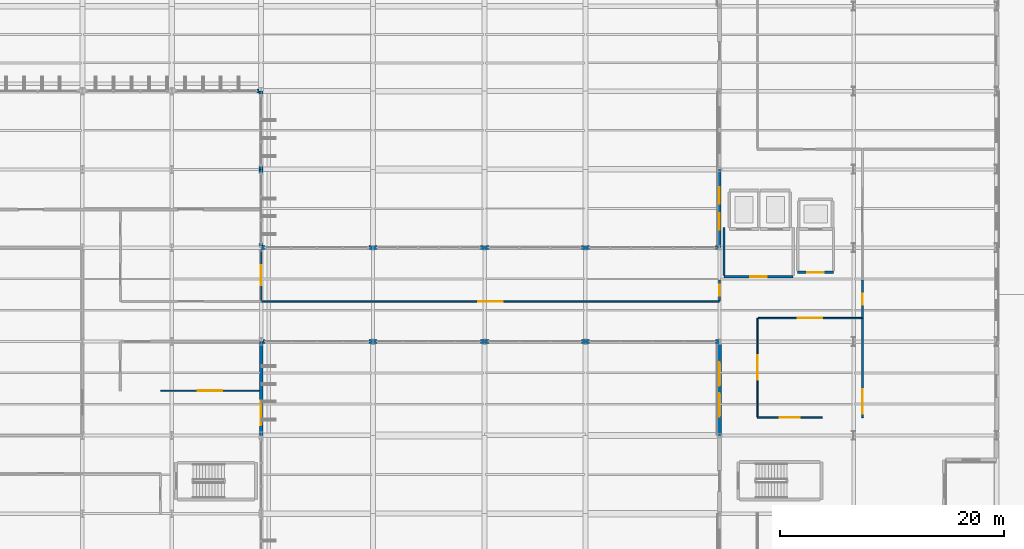
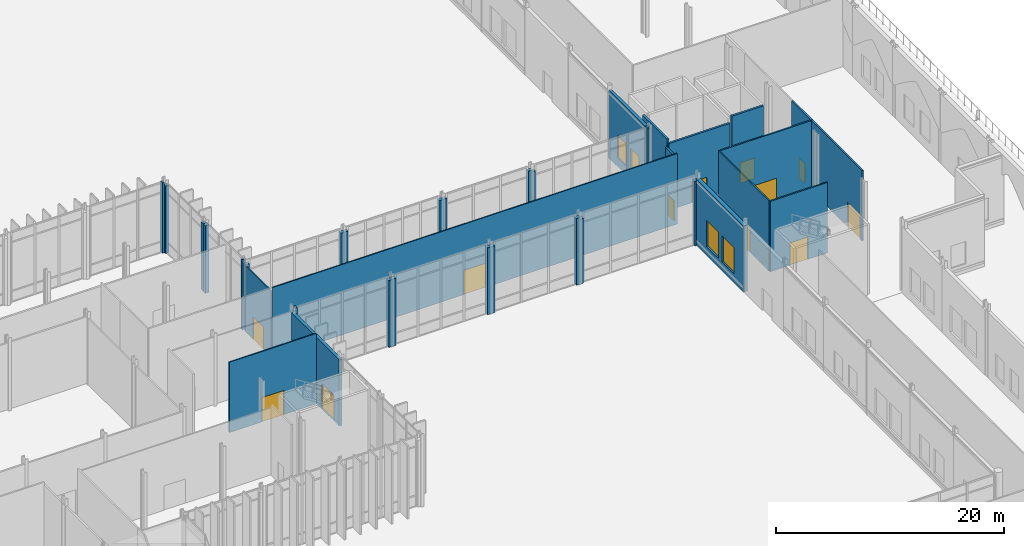
# One storey, part 145 of 176: 36 walls, 12 doors, 4 windows, 16 openings.
"""IFC4 building model written with IfcOpenShell, lengths in metres."""

from ifc_helpers import new_model, si_unit, direction, frame, frame_2d, origin, place, context, subcontext, project, spatial, rectangle, extrude, material, layer, layer_set, type_object, element, fill, save


model = new_model("IFC4")

# Units and contexts
model_context = context("Model", 3, precision=1e-05, world=origin(), true_north=direction((0.0, 1.0)))
body_context = subcontext(model_context, "Body", "Model", "MODEL_VIEW")
ifc_project = project(units=[si_unit("LENGTHUNIT", "METRE"), si_unit("AREAUNIT", "SQUARE_METRE"), si_unit("VOLUMEUNIT", "CUBIC_METRE"), si_unit("PLANEANGLEUNIT", "RADIAN"), si_unit("MASSUNIT", "GRAM", prefix="KILO")], contexts=[model_context])

# Site, building, storey
site_placement = place(None, origin())
site = spatial("IfcSite", under=ifc_project, at=site_placement, CompositionType="ELEMENT")
building_placement = place(site_placement, origin())
building = spatial("IfcBuilding", under=site, at=building_placement, Name="Vekula Escarpment Museum", CompositionType="ELEMENT")
storey_placement = place(building_placement, origin())
storey = spatial("IfcBuildingStorey", under=building, at=storey_placement, Name="L01", CompositionType="ELEMENT", Elevation=0.0)

# Wall, opening, door
ifc_material_1 = material(Name="Inkisi arkosic sandstone masonry", Category="masonry")
ifc_layer_1 = layer(ifc_material_1, 0.300048828125)
ifc_layer_set_1 = layer_set([ifc_layer_1], Name="Inkisi arkosic sandstone masonry")
wall_type_1 = type_object("IfcWallType", Name="WL-ALM-300", PredefinedType="SOLIDWALL", material=ifc_layer_set_1)
wall_1_placement = place(storey_placement, frame((126.0, 68.0, 0.0), z_axis=(0.0, 0.0, 1.0), x_axis=(0.0, -1.0, 0.0)))
wall_1 = element("IfcWall", 1, at=wall_1_placement, inside=storey, type_object=wall_type_1, Name="Exterior Wall WL-EXT-L01-0083", PredefinedType="SOLIDWALL", context=body_context, shape_type="SweptSolid", body=[
    extrude(rectangle(XDim=8.39990234375, YDim=0.300048828125, at=frame_2d((4.199951171875, 0.0))), origin(), (0.0, 0.0, 1.0), 7.0849609375),
])
opening_1_placement = place(wall_1_placement, frame((5.300048828125, 0.0, 0.0)))
opening_1 = element("IfcOpeningElement", 2, at=opening_1_placement, cuts=wall_1, Name="Opening D-EX24", PredefinedType="OPENING", context=body_context, shape_type="SweptSolid", body=[
    extrude(rectangle(XDim=2.199951171875, YDim=2.699951171875, at=frame_2d((1.10009765625, 1.35009765625))), frame((0.0, 0.159912109375, 0.0), z_axis=(0.0, -1.0, 0.0), x_axis=(1.0, 0.0, 0.0)), (0.0, 0.0, 1.0), 0.320068359375),
])
ifc_material_2 = material(Name="Bronze-anodized glazed exit door", Category="aluminium")
door_type_1 = type_object("IfcDoorType", Name="DR-EX-2200x2700", OperationType="NOTDEFINED", PredefinedType="DOOR", material=ifc_material_2)
door_1_placement = place(opening_1_placement, origin())
door_1 = element("IfcDoor", 3, at=door_1_placement, inside=storey, type_object=door_type_1, Name="Great Hall East ST-08 Protected Exit Door D-EX24", OperationType="SINGLE_SWING_RIGHT", OverallHeight=2.699951171875, OverallWidth=2.199951171875, PredefinedType="DOOR", context=body_context, shape_type="SweptSolid", body=[
    extrude(rectangle(XDim=2.199951171875, YDim=2.699951171875, at=frame_2d((1.10009765625, 1.35009765625))), frame((0.0, 0.02490234375, 0.0), z_axis=(0.0, -1.0, 0.0), x_axis=(1.0, 0.0, 0.0)), (0.0, 0.0, 1.0), 0.050048828125),
])
fill(opening_1, door_1)

# Wall, openings, windows
wall_2_placement = place(storey_placement, frame((167.0, 76.39990234375, 0.0), z_axis=(0.0, 0.0, 1.0), x_axis=(0.0, 1.0, 0.0)))
wall_2 = element("IfcWall", 4, at=wall_2_placement, inside=storey, type_object=wall_type_1, Name="Exterior Wall WL-EXT-L01-0147", PredefinedType="SOLIDWALL", context=body_context, shape_type="SweptSolid", body=[
    extrude(rectangle(XDim=7.0, YDim=0.300048828125, at=frame_2d((3.5, 0.0))), origin(), (0.0, 0.0, 1.0), 7.235107421875),
])
opening_2_placement = place(wall_2_placement, frame((1.583251953125, 0.0, 0.949951171875)))
opening_2 = element("IfcOpeningElement", 5, at=opening_2_placement, cuts=wall_2, Name="Opening WN-06", PredefinedType="OPENING", context=body_context, shape_type="SweptSolid", body=[
    extrude(rectangle(XDim=1.5, YDim=2.39990234375, at=frame_2d((0.75, 1.199951171875))), frame((0.0, 0.159912109375, 0.0), z_axis=(0.0, -1.0, 0.0), x_axis=(1.0, 0.0, 0.0)), (0.0, 0.0, 1.0), 0.320068359375),
])
opening_3_placement = place(wall_2_placement, frame((3.916748046875, 0.0, 0.949951171875)))
opening_3 = element("IfcOpeningElement", 6, at=opening_3_placement, cuts=wall_2, Name="Opening WN-06", PredefinedType="OPENING", context=body_context, shape_type="SweptSolid", body=[
    extrude(rectangle(XDim=1.5, YDim=2.39990234375, at=frame_2d((0.75, 1.199951171875))), frame((0.0, 0.159912109375, 0.0), z_axis=(0.0, -1.0, 0.0), x_axis=(1.0, 0.0, 0.0)), (0.0, 0.0, 1.0), 0.320068359375),
])
ifc_material_3 = material(Name="Double solar-control low-E glass", Category="glass")
window_type_1 = type_object("IfcWindowType", Name="WN-CUMBA-15x24", PartitioningType="SINGLE_PANEL", PredefinedType="WINDOW", material=ifc_material_3)
window_1_placement = place(opening_2_placement, origin())
window_1 = element("IfcWindow", 7, at=window_1_placement, inside=storey, type_object=window_type_1, Name="Window L01-0061", OverallHeight=2.39990234375, OverallWidth=1.5, PartitioningType="SINGLE_PANEL", PredefinedType="WINDOW", context=body_context, shape_type="SweptSolid", body=[
    extrude(rectangle(XDim=1.5, YDim=2.39990234375, at=frame_2d((0.75, 1.199951171875))), frame((0.0, 0.030029296875, 0.0), z_axis=(0.0, -1.0, 0.0), x_axis=(1.0, 0.0, 0.0)), (0.0, 0.0, 1.0), 0.06005859375),
])
fill(opening_2, window_1)
window_2_placement = place(opening_3_placement, origin())
window_2 = element("IfcWindow", 8, at=window_2_placement, inside=storey, type_object=window_type_1, Name="Window L01-0062", OverallHeight=2.39990234375, OverallWidth=1.5, PartitioningType="SINGLE_PANEL", PredefinedType="WINDOW", context=body_context, shape_type="SweptSolid", body=[
    extrude(rectangle(XDim=1.5, YDim=2.39990234375, at=frame_2d((0.75, 1.199951171875))), frame((0.0, 0.030029296875, 0.0), z_axis=(0.0, -1.0, 0.0), x_axis=(1.0, 0.0, 0.0)), (0.0, 0.0, 1.0), 0.06005859375),
])
fill(opening_3, window_2)

# Walls
ifc_material_4 = material(Name="Inkisi arkosic sandstone masonry", Category="masonry")
ifc_layer_2 = layer(ifc_material_4, 0.35009765625)
ifc_layer_set_2 = layer_set([ifc_layer_2], Name="Inkisi arkosic sandstone masonry")
wall_type_2 = type_object("IfcWallType", Name="WL-ALM-350", PredefinedType="SOLIDWALL", material=ifc_layer_set_2)
wall_3_placement = place(storey_placement, frame((126.154052734375, 68.0, 0.0), z_axis=(0.0, 0.0, 1.0), x_axis=(1.0, 0.0, 0.0)))
element("IfcWall", 9, at=wall_3_placement, inside=storey, type_object=wall_type_2, Name="Facade Jamb Pier L01-0084A", PredefinedType="SOLIDWALL", context=body_context, shape_type="SweptSolid", body=[
    extrude(rectangle(XDim=0.2060546875, YDim=0.35009765625, at=frame_2d((0.10302734375, 0.0))), origin(), (0.0, 0.0, 1.0), 7.5400390625),
])
for number, where, z_axis, x_axis, name in (
    (10, (135.639892578125, 68.0, 0.0), (0.0, 0.0, 1.0), (1.0, 0.0, 0.0), "Facade Jamb Pier L01-0085B"),
    (11, (136.0, 68.0, 0.0), (0.0, 0.0, 1.0), (1.0, 0.0, 0.0), "Facade Jamb Pier L01-0086A"),
    (12, (145.639892578125, 68.0, 0.0), (0.0, 0.0, 1.0), (1.0, 0.0, 0.0), "Facade Jamb Pier L01-0087B"),
    (13, (146.0, 68.0, 0.0), (0.0, 0.0, 1.0), (1.0, 0.0, 0.0), "Facade Jamb Pier L01-0088A"),
    (14, (154.639892578125, 68.0, 0.0), (0.0, 0.0, 1.0), (1.0, 0.0, 0.0), "Facade Jamb Pier L01-0089B"),
):
    element("IfcWall", number, at=place(storey_placement, frame(where, z_axis=z_axis, x_axis=x_axis)), inside=storey, type_object=wall_type_2, Name=name, PredefinedType="SOLIDWALL", context=body_context, shape_type="SweptSolid", body=[
        extrude(rectangle(XDim=0.360107421875, YDim=0.35009765625, at=frame_2d((0.18017578125, 0.0))), origin(), (0.0, 0.0, 1.0), 7.1650390625),
    ])
for number, where, z_axis, x_axis, name in (
    (15, (155.0, 68.0, 0.0), (0.0, 0.0, 1.0), (1.0, 0.0, 0.0), "Facade Jamb Pier L01-0090A"),
    (16, (166.639892578125, 68.0, 0.0), (0.0, 0.0, 1.0), (1.0, 0.0, 0.0), "Facade Jamb Pier L01-0091B"),
):
    element("IfcWall", number, at=place(storey_placement, frame(where, z_axis=z_axis, x_axis=x_axis)), inside=storey, type_object=wall_type_2, Name=name, PredefinedType="SOLIDWALL", context=body_context, shape_type="SweptSolid", body=[
        extrude(rectangle(XDim=0.360107421875, YDim=0.35009765625, at=frame_2d((0.18017578125, 0.0))), origin(), (0.0, 0.0, 1.0), 6.925048828125),
    ])
wall_4_placement = place(storey_placement, frame((166.845947265625, 76.39990234375, 0.0), z_axis=(0.0, 0.0, 1.0), x_axis=(-1.0, 0.0, 0.0)))
element("IfcWall", 17, at=wall_4_placement, inside=storey, type_object=wall_type_2, Name="Facade Jamb Pier L01-0148A", PredefinedType="SOLIDWALL", context=body_context, shape_type="SweptSolid", body=[
    extrude(rectangle(XDim=0.2060546875, YDim=0.35009765625, at=frame_2d((0.10302734375, 0.0))), origin(), (0.0, 0.0, 1.0), 7.5400390625),
])
wall_5_placement = place(storey_placement, frame((155.360107421875, 76.39990234375, 0.0), z_axis=(0.0, 0.0, 1.0), x_axis=(-1.0, 0.0, 0.0)))
element("IfcWall", 18, at=wall_5_placement, inside=storey, type_object=wall_type_2, Name="Facade Jamb Pier L01-0149B", PredefinedType="SOLIDWALL", context=body_context, shape_type="SweptSolid", body=[
    extrude(rectangle(XDim=0.360107421875, YDim=0.35009765625, at=frame_2d((0.18017578125, 0.0))), origin(), (0.0, 0.0, 1.0), 6.925048828125),
])
for number, where, z_axis, x_axis, name in (
    (19, (155.0, 76.39990234375, 0.0), (0.0, 0.0, 1.0), (-1.0, 0.0, 0.0), "Facade Jamb Pier L01-0150A"),
    (20, (146.360107421875, 76.39990234375, 0.0), (0.0, 0.0, 1.0), (-1.0, 0.0, 0.0), "Facade Jamb Pier L01-0151B"),
    (21, (146.0, 76.39990234375, 0.0), (0.0, 0.0, 1.0), (-1.0, 0.0, 0.0), "Facade Jamb Pier L01-0152A"),
    (22, (136.360107421875, 76.39990234375, 0.0), (0.0, 0.0, 1.0), (-1.0, 0.0, 0.0), "Facade Jamb Pier L01-0153B"),
    (23, (136.0, 76.39990234375, 0.0), (0.0, 0.0, 1.0), (-1.0, 0.0, 0.0), "Facade Jamb Pier L01-0154A"),
    (24, (126.360107421875, 76.39990234375, 0.0), (0.0, 0.0, 1.0), (-1.0, 0.0, 0.0), "Facade Jamb Pier L01-0155B"),
):
    element("IfcWall", number, at=place(storey_placement, frame(where, z_axis=z_axis, x_axis=x_axis)), inside=storey, type_object=wall_type_2, Name=name, PredefinedType="SOLIDWALL", context=body_context, shape_type="SweptSolid", body=[
        extrude(rectangle(XDim=0.360107421875, YDim=0.35009765625, at=frame_2d((0.18017578125, 0.0))), origin(), (0.0, 0.0, 1.0), 7.135009765625),
    ])
wall_6_placement = place(storey_placement, frame((126.0, 76.5791015625, 0.0), z_axis=(0.0, 0.0, 1.0), x_axis=(0.0, 1.0, 0.0)))
element("IfcWall", 25, at=wall_6_placement, inside=storey, type_object=wall_type_2, Name="Facade Jamb Pier L01-0156A", PredefinedType="SOLIDWALL", context=body_context, shape_type="SweptSolid", body=[
    extrude(rectangle(XDim=0.180908203125, YDim=0.35009765625, at=frame_2d((0.09033203125, 0.0))), origin(), (0.0, 0.0, 1.0), 7.5400390625),
])
wall_7_placement = place(storey_placement, frame((126.0, 83.0400390625, 0.0), z_axis=(0.0, 0.0, 1.0), x_axis=(0.0, 1.0, 0.0)))
element("IfcWall", 26, at=wall_7_placement, inside=storey, type_object=wall_type_2, Name="Facade Jamb Pier L01-0157B", PredefinedType="SOLIDWALL", context=body_context, shape_type="SweptSolid", body=[
    extrude(rectangle(XDim=0.35986328125, YDim=0.35009765625, at=frame_2d((0.179931640625, 0.0))), origin(), (0.0, 0.0, 1.0), 7.235107421875),
])
wall_8_placement = place(storey_placement, frame((126.0, 83.39990234375, 0.0), z_axis=(0.0, 0.0, 1.0), x_axis=(0.0, 1.0, 0.0)))
element("IfcWall", 27, at=wall_8_placement, inside=storey, type_object=wall_type_2, Name="Facade Jamb Pier L01-0158A", PredefinedType="SOLIDWALL", context=body_context, shape_type="SweptSolid", body=[
    extrude(rectangle(XDim=0.360107421875, YDim=0.35009765625, at=frame_2d((0.18017578125, 0.0))), origin(), (0.0, 0.0, 1.0), 7.235107421875),
])
wall_9_placement = place(storey_placement, frame((126.0, 90.0400390625, 0.0), z_axis=(0.0, 0.0, 1.0), x_axis=(0.0, 1.0, 0.0)))
element("IfcWall", 28, at=wall_9_placement, inside=storey, type_object=wall_type_2, Name="Facade Jamb Pier L01-0159B", PredefinedType="SOLIDWALL", context=body_context, shape_type="SweptSolid", body=[
    extrude(rectangle(XDim=0.35986328125, YDim=0.35009765625, at=frame_2d((0.179931640625, 0.0))), origin(), (0.0, 0.0, 1.0), 7.235107421875),
])
wall_10_placement = place(storey_placement, frame((125.821044921875, 90.39990234375, 0.0), z_axis=(0.0, 0.0, 1.0), x_axis=(-1.0, 0.0, 0.0)))
element("IfcWall", 29, at=wall_10_placement, inside=storey, type_object=wall_type_2, Name="Facade Jamb Pier L01-0160A", PredefinedType="SOLIDWALL", context=body_context, shape_type="SweptSolid", body=[
    extrude(rectangle(XDim=0.18115234375, YDim=0.35009765625, at=frame_2d((0.090576171875, 0.0))), origin(), (0.0, 0.0, 1.0), 7.5400390625),
])

# Wall, openings, windows
ifc_material_5 = material(Name="Inkisi arkosic sandstone masonry", Category="masonry")
ifc_layer_3 = layer(ifc_material_5, 0.3798828125)
ifc_layer_set_3 = layer_set([ifc_layer_3], Name="Inkisi arkosic sandstone masonry")
wall_type_3 = type_object("IfcWallType", Name="WL-ALM-380", PredefinedType="SOLIDWALL", material=ifc_layer_set_3)
wall_11_placement = place(storey_placement, frame((167.0, 59.60009765625, 0.0), z_axis=(0.0, 0.0, 1.0), x_axis=(0.0, 1.0, 0.0)))
wall_11 = element("IfcWall", 30, at=wall_11_placement, inside=storey, type_object=wall_type_3, Name="Exterior Wall WL-EXT-L01-0092", PredefinedType="SOLIDWALL", context=body_context, shape_type="SweptSolid", body=[
    extrude(rectangle(XDim=8.220947265625, YDim=0.3798828125, at=frame_2d((4.1103515625, 0.0))), origin(), (0.0, 0.0, 1.0), 7.0849609375),
])
opening_4_placement = place(wall_11_placement, frame((1.690185546875, 0.0, 0.949951171875)))
opening_4 = element("IfcOpeningElement", 31, at=opening_4_placement, cuts=wall_11, Name="Opening WN-08", PredefinedType="OPENING", context=body_context, shape_type="SweptSolid", body=[
    extrude(rectangle(XDim=2.10009765625, YDim=2.800048828125, at=frame_2d((1.050048828125, 1.39990234375))), frame((0.0, 0.199951171875, 0.0), z_axis=(0.0, -1.0, 0.0), x_axis=(1.0, 0.0, 0.0)), (0.0, 0.0, 1.0), 0.39990234375),
])
opening_5_placement = place(wall_11_placement, frame((4.4306640625, 0.0, 0.949951171875)))
opening_5 = element("IfcOpeningElement", 32, at=opening_5_placement, cuts=wall_11, Name="Opening WN-08", PredefinedType="OPENING", context=body_context, shape_type="SweptSolid", body=[
    extrude(rectangle(XDim=2.10009765625, YDim=2.800048828125, at=frame_2d((1.050048828125, 1.39990234375))), frame((0.0, 0.199951171875, 0.0), z_axis=(0.0, -1.0, 0.0), x_axis=(1.0, 0.0, 0.0)), (0.0, 0.0, 1.0), 0.39990234375),
])
ifc_material_6 = material(Name="Double solar-control low-E glass", Category="glass")
window_type_2 = type_object("IfcWindowType", Name="WN-CUMBA-21x28", PartitioningType="DOUBLE_PANEL_VERTICAL", PredefinedType="WINDOW", material=ifc_material_6)
window_3_placement = place(opening_4_placement, origin())
window_3 = element("IfcWindow", 33, at=window_3_placement, inside=storey, type_object=window_type_2, Name="Window L01-0003", OverallHeight=2.800048828125, OverallWidth=2.10009765625, PartitioningType="SINGLE_PANEL", PredefinedType="WINDOW", context=body_context, shape_type="SweptSolid", body=[
    extrude(rectangle(XDim=2.10009765625, YDim=2.800048828125, at=frame_2d((1.050048828125, 1.39990234375))), frame((0.0, 0.030029296875, 0.0), z_axis=(0.0, -1.0, 0.0), x_axis=(1.0, 0.0, 0.0)), (0.0, 0.0, 1.0), 0.06005859375),
])
fill(opening_4, window_3)
window_4_placement = place(opening_5_placement, origin())
window_4 = element("IfcWindow", 34, at=window_4_placement, inside=storey, type_object=window_type_2, Name="Window L01-0004", OverallHeight=2.800048828125, OverallWidth=2.10009765625, PartitioningType="SINGLE_PANEL", PredefinedType="WINDOW", context=body_context, shape_type="SweptSolid", body=[
    extrude(rectangle(XDim=2.10009765625, YDim=2.800048828125, at=frame_2d((1.050048828125, 1.39990234375))), frame((0.0, 0.030029296875, 0.0), z_axis=(0.0, -1.0, 0.0), x_axis=(1.0, 0.0, 0.0)), (0.0, 0.0, 1.0), 0.06005859375),
])
fill(opening_5, window_4)

# Wall, opening, door
ifc_material_7 = material(Name="Concrete C35/45", Category="concrete")
ifc_layer_4 = layer(ifc_material_7, 0.199951171875)
ifc_layer_set_4 = layer_set([ifc_layer_4], Name="Concrete C35/45")
wall_type_4 = type_object("IfcWallType", Name="WL-FFL-200", PredefinedType="PARTITIONING", material=ifc_layer_set_4)
wall_12_placement = place(storey_placement, frame((167.39990234375, 73.800048828125, 0.0), z_axis=(0.0, 0.0, 1.0), x_axis=(1.0, 0.0, 0.0)))
wall_12 = element("IfcWall", 35, at=wall_12_placement, inside=storey, type_object=wall_type_4, Name="Lift Lobby Wall LF-01 L01 S", PredefinedType="PARTITIONING", context=body_context, shape_type="SweptSolid", body=[
    extrude(rectangle(XDim=6.2001953125, YDim=0.199951171875, at=frame_2d((3.10009765625, 0.0))), origin(), (0.0, 0.0, 1.0), 7.1650390625),
])
opening_6_placement = place(wall_12_placement, frame((2.35009765625, 0.0, 0.0)))
opening_6 = element("IfcOpeningElement", 36, at=opening_6_placement, cuts=wall_12, Name="Opening DR-FD60L", PredefinedType="OPENING", context=body_context, shape_type="SweptSolid", body=[
    extrude(rectangle(XDim=1.5, YDim=2.199951171875, at=frame_2d((0.75, 1.10009765625))), frame((0.0, 0.10986328125, 0.0), z_axis=(0.0, -1.0, 0.0), x_axis=(1.0, 0.0, 0.0)), (0.0, 0.0, 1.0), 0.219970703125),
])
ifc_material_8 = material(Name="Fire-rated glazed lobby door", Category="steel")
door_type_2 = type_object("IfcDoorType", Name="DR-FFLOB-1500x2200", OperationType="NOTDEFINED", PredefinedType="DOOR", material=ifc_material_8)
door_2_placement = place(opening_6_placement, origin())
door_2 = element("IfcDoor", 37, at=door_2_placement, inside=storey, type_object=door_type_2, Name="Lift Lobby Fire Door LF-01 L01", OperationType="SINGLE_SWING_RIGHT", OverallHeight=2.199951171875, OverallWidth=1.5, PredefinedType="DOOR", context=body_context, shape_type="SweptSolid", body=[
    extrude(rectangle(XDim=1.5, YDim=2.199951171875, at=frame_2d((0.75, 1.10009765625))), frame((0.0, 0.02490234375, 0.0), z_axis=(0.0, -1.0, 0.0), x_axis=(1.0, 0.0, 0.0)), (0.0, 0.0, 1.0), 0.050048828125),
])
fill(opening_6, door_2)

# Wall
wall_13_placement = place(storey_placement, frame((167.39990234375, 73.904052734375, 0.0), z_axis=(0.0, 0.0, 1.0), x_axis=(0.0, 1.0, 0.0)))
element("IfcWall", 38, at=wall_13_placement, inside=storey, type_object=wall_type_4, Name="Lift Lobby Wall LF-01 L01 W", PredefinedType="PARTITIONING", context=body_context, shape_type="SweptSolid", body=[
    extrude(rectangle(XDim=4.2958984375, YDim=0.199951171875, at=frame_2d((2.14794921875, 0.0))), origin(), (0.0, 0.0, 1.0), 7.5400390625),
])

# Wall, opening, door
wall_14_placement = place(storey_placement, frame((174.0, 74.199951171875, 0.0), z_axis=(0.0, 0.0, 1.0), x_axis=(1.0, 0.0, 0.0)))
wall_14 = element("IfcWall", 39, at=wall_14_placement, inside=storey, type_object=wall_type_4, Name="Lift Lobby Wall LP-03 L01 S", PredefinedType="PARTITIONING", context=body_context, shape_type="SweptSolid", body=[
    extrude(rectangle(XDim=3.199951171875, YDim=0.199951171875, at=frame_2d((1.60009765625, 0.0))), origin(), (0.0, 0.0, 1.0), 7.5400390625),
])
opening_7_placement = place(wall_14_placement, frame((0.85009765625, 0.0, 0.0)))
opening_7 = element("IfcOpeningElement", 40, at=opening_7_placement, cuts=wall_14, Name="Opening DR-FD60L", PredefinedType="OPENING", context=body_context, shape_type="SweptSolid", body=[
    extrude(rectangle(XDim=1.5, YDim=2.199951171875, at=frame_2d((0.75, 1.10009765625))), frame((0.0, 0.10986328125, 0.0), z_axis=(0.0, -1.0, 0.0), x_axis=(1.0, 0.0, 0.0)), (0.0, 0.0, 1.0), 0.219970703125),
])
door_3_placement = place(opening_7_placement, origin())
door_3 = element("IfcDoor", 41, at=door_3_placement, inside=storey, type_object=door_type_2, Name="Lift Lobby Fire Door LP-03 L01", OperationType="SINGLE_SWING_RIGHT", OverallHeight=2.199951171875, OverallWidth=1.5, PredefinedType="DOOR", context=body_context, shape_type="SweptSolid", body=[
    extrude(rectangle(XDim=1.5, YDim=2.199951171875, at=frame_2d((0.75, 1.10009765625))), frame((0.0, 0.02490234375, 0.0), z_axis=(0.0, -1.0, 0.0), x_axis=(1.0, 0.0, 0.0)), (0.0, 0.0, 1.0), 0.050048828125),
])
fill(opening_7, door_3)

ifc_material_9 = material(Name="Lightweight studio partition", Category="gypsum")
ifc_layer_5 = layer(ifc_material_9, 0.1201171875)
ifc_layer_set_5 = layer_set([ifc_layer_5], Name="Lightweight studio partition")
wall_type_5 = type_object("IfcWallType", Name="WL-PART-120", PredefinedType="PARTITIONING", material=ifc_layer_set_5)
wall_15_placement = place(storey_placement, frame((117.0, 63.60009765625, 0.0), z_axis=(0.0, 0.0, 1.0), x_axis=(1.0, 0.0, 0.0)))
wall_15 = element("IfcWall", 42, at=wall_15_placement, inside=storey, type_object=wall_type_5, Name="Interior Partition WL-INT-L01-0051", PredefinedType="PARTITIONING", context=body_context, shape_type="SweptSolid", body=[
    extrude(rectangle(XDim=8.845947265625, YDim=0.1201171875, at=frame_2d((4.4228515625, 0.0))), origin(), (0.0, 0.0, 1.0), 7.5400390625),
])
opening_8_placement = place(wall_15_placement, frame((3.322998046875, 0.0, 0.0)))
opening_8 = element("IfcOpeningElement", 43, at=opening_8_placement, cuts=wall_15, Name="Opening DR-GL22", PredefinedType="OPENING", context=body_context, shape_type="SweptSolid", body=[
    extrude(rectangle(XDim=2.199951171875, YDim=2.60009765625, at=frame_2d((1.10009765625, 1.300048828125))), frame((0.0, 0.070068359375, 0.0), z_axis=(0.0, -1.0, 0.0), x_axis=(1.0, 0.0, 0.0)), (0.0, 0.0, 1.0), 0.14013671875),
])
ifc_material_10 = material(Name="Double acoustic timber gallery door", Category="wood")
door_type_3 = type_object("IfcDoorType", Name="DR-GAL-2200x2600", OperationType="NOTDEFINED", PredefinedType="DOOR", material=ifc_material_10)
door_4_placement = place(opening_8_placement, origin())
door_4 = element("IfcDoor", 44, at=door_4_placement, inside=storey, type_object=door_type_3, Name="Interior Door L01-048", OperationType="SINGLE_SWING_LEFT", OverallHeight=2.60009765625, OverallWidth=2.199951171875, PredefinedType="DOOR", context=body_context, shape_type="SweptSolid", body=[
    extrude(rectangle(XDim=2.199951171875, YDim=2.60009765625, at=frame_2d((1.10009765625, 1.300048828125))), frame((0.0, 0.02490234375, 0.0), z_axis=(0.0, -1.0, 0.0), x_axis=(1.0, 0.0, 0.0)), (0.0, 0.0, 1.0), 0.050048828125),
])
fill(opening_8, door_4)

wall_16_placement = place(storey_placement, frame((126.0, 71.678955078125, 0.0), z_axis=(0.0, 0.0, 1.0), x_axis=(0.0, 1.0, 0.0)))
wall_16 = element("IfcWall", 45, at=wall_16_placement, inside=storey, type_object=wall_type_5, Name="Interior Partition WL-INT-L01-0057", PredefinedType="PARTITIONING", context=body_context, shape_type="SweptSolid", body=[
    extrude(rectangle(XDim=4.5419921875, YDim=0.1201171875, at=frame_2d((2.27099609375, 0.0))), origin(), (0.0, 0.0, 1.0), 7.0849609375),
])
opening_9_placement = place(wall_16_placement, frame((1.37109375, 0.0, 0.0)))
opening_9 = element("IfcOpeningElement", 46, at=opening_9_placement, cuts=wall_16, Name="Opening DR-GL18", PredefinedType="OPENING", context=body_context, shape_type="SweptSolid", body=[
    extrude(rectangle(XDim=1.800048828125, YDim=2.39990234375, at=frame_2d((0.89990234375, 1.199951171875))), frame((0.0, 0.070068359375, 0.0), z_axis=(0.0, -1.0, 0.0), x_axis=(1.0, 0.0, 0.0)), (0.0, 0.0, 1.0), 0.14013671875),
])
ifc_material_11 = material(Name="Double glazed gallery portal door", Category="steel")
door_type_4 = type_object("IfcDoorType", Name="DR-GAL-1800x2400", OperationType="NOTDEFINED", PredefinedType="DOOR", material=ifc_material_11)
door_5_placement = place(opening_9_placement, origin())
door_5 = element("IfcDoor", 47, at=door_5_placement, inside=storey, type_object=door_type_4, Name="Interior Door L01-054", OperationType="SINGLE_SWING_LEFT", OverallHeight=2.39990234375, OverallWidth=1.800048828125, PredefinedType="DOOR", context=body_context, shape_type="SweptSolid", body=[
    extrude(rectangle(XDim=1.800048828125, YDim=2.39990234375, at=frame_2d((0.89990234375, 1.199951171875))), frame((0.0, 0.02490234375, 0.0), z_axis=(0.0, -1.0, 0.0), x_axis=(1.0, 0.0, 0.0)), (0.0, 0.0, 1.0), 0.050048828125),
])
fill(opening_9, door_5)

wall_17_placement = place(storey_placement, frame((126.0, 71.60009765625, 0.0), z_axis=(0.0, 0.0, 1.0), x_axis=(1.0, 0.0, 0.0)))
wall_17 = element("IfcWall", 48, at=wall_17_placement, inside=storey, type_object=wall_type_5, Name="Interior Partition WL-INT-L01-0063", PredefinedType="PARTITIONING", context=body_context, shape_type="SweptSolid", body=[
    extrude(rectangle(XDim=41.0, YDim=0.1201171875, at=frame_2d((20.5, 0.0))), origin(), (0.0, 0.0, 1.0), 7.5400390625),
])
opening_10_placement = place(wall_17_placement, frame((19.39990234375, 0.0, 0.0)))
opening_10 = element("IfcOpeningElement", 49, at=opening_10_placement, cuts=wall_17, Name="Opening DR-GL22", PredefinedType="OPENING", context=body_context, shape_type="SweptSolid", body=[
    extrude(rectangle(XDim=2.199951171875, YDim=2.60009765625, at=frame_2d((1.10009765625, 1.300048828125))), frame((0.0, 0.070068359375, 0.0), z_axis=(0.0, -1.0, 0.0), x_axis=(1.0, 0.0, 0.0)), (0.0, 0.0, 1.0), 0.14013671875),
])
door_6_placement = place(opening_10_placement, origin())
door_6 = element("IfcDoor", 50, at=door_6_placement, inside=storey, type_object=door_type_3, Name="Interior Door L01-058", OperationType="SINGLE_SWING_LEFT", OverallHeight=2.60009765625, OverallWidth=2.199951171875, PredefinedType="DOOR", context=body_context, shape_type="SweptSolid", body=[
    extrude(rectangle(XDim=2.199951171875, YDim=2.60009765625, at=frame_2d((1.10009765625, 1.300048828125))), frame((0.0, 0.02490234375, 0.0), z_axis=(0.0, -1.0, 0.0), x_axis=(1.0, 0.0, 0.0)), (0.0, 0.0, 1.0), 0.050048828125),
])
fill(opening_10, door_6)

wall_18_placement = place(storey_placement, frame((170.39990234375, 61.279052734375, 0.0), z_axis=(0.0, 0.0, 1.0), x_axis=(0.0, 1.0, 0.0)))
wall_18 = element("IfcWall", 51, at=wall_18_placement, inside=storey, type_object=wall_type_5, Name="Interior Partition WL-INT-L01-0066", PredefinedType="PARTITIONING", context=body_context, shape_type="SweptSolid", body=[
    extrude(rectangle(XDim=8.821044921875, YDim=0.1201171875, at=frame_2d((4.41064453125, 0.0))), origin(), (0.0, 0.0, 1.0), 7.5400390625),
])
opening_11_placement = place(wall_18_placement, frame((3.310546875, 0.0, 0.0)))
opening_11 = element("IfcOpeningElement", 52, at=opening_11_placement, cuts=wall_18, Name="Opening DR-GL22", PredefinedType="OPENING", context=body_context, shape_type="SweptSolid", body=[
    extrude(rectangle(XDim=2.199951171875, YDim=2.60009765625, at=frame_2d((1.10009765625, 1.300048828125))), frame((0.0, 0.070068359375, 0.0), z_axis=(0.0, -1.0, 0.0), x_axis=(1.0, 0.0, 0.0)), (0.0, 0.0, 1.0), 0.14013671875),
])
door_7_placement = place(opening_11_placement, origin())
door_7 = element("IfcDoor", 53, at=door_7_placement, inside=storey, type_object=door_type_3, Name="Interior Door L01-061", OperationType="SINGLE_SWING_RIGHT", OverallHeight=2.60009765625, OverallWidth=2.199951171875, PredefinedType="DOOR", context=body_context, shape_type="SweptSolid", body=[
    extrude(rectangle(XDim=2.199951171875, YDim=2.60009765625, at=frame_2d((1.10009765625, 1.300048828125))), frame((0.0, 0.02490234375, 0.0), z_axis=(0.0, -1.0, 0.0), x_axis=(1.0, 0.0, 0.0)), (0.0, 0.0, 1.0), 0.050048828125),
])
fill(opening_11, door_7)

ifc_material_12 = material(Name="Gypsum board dry-lined partition", Category="gypsum")
ifc_layer_6 = layer(ifc_material_12, 0.14990234375)
ifc_layer_set_6 = layer_set([ifc_layer_6], Name="Gypsum board dry-lined partition")
wall_type_6 = type_object("IfcWallType", Name="WL-PART-150", PredefinedType="PARTITIONING", material=ifc_layer_set_6)
wall_19_placement = place(storey_placement, frame((170.39990234375, 61.199951171875, 0.0), z_axis=(0.0, 0.0, 1.0), x_axis=(1.0, 0.0, 0.0)))
wall_19 = element("IfcWall", 54, at=wall_19_placement, inside=storey, type_object=wall_type_6, Name="Interior Partition WL-INT-L01-0065", PredefinedType="PARTITIONING", context=body_context, shape_type="SweptSolid", body=[
    extrude(rectangle(XDim=5.800048828125, YDim=0.14990234375, at=frame_2d((2.89990234375, 0.0))), origin(), (0.0, 0.0, 1.0), 7.5400390625),
])
opening_12_placement = place(wall_19_placement, frame((2.0, 0.0, 0.0)))
opening_12 = element("IfcOpeningElement", 55, at=opening_12_placement, cuts=wall_19, Name="Opening DR-GL18", PredefinedType="OPENING", context=body_context, shape_type="SweptSolid", body=[
    extrude(rectangle(XDim=1.800048828125, YDim=2.39990234375, at=frame_2d((0.89990234375, 1.199951171875))), frame((0.0, 0.0849609375, 0.0), z_axis=(0.0, -1.0, 0.0), x_axis=(1.0, 0.0, 0.0)), (0.0, 0.0, 1.0), 0.169921875),
])
door_8_placement = place(opening_12_placement, origin())
door_8 = element("IfcDoor", 56, at=door_8_placement, inside=storey, type_object=door_type_4, Name="Interior Door L01-060", OperationType="SINGLE_SWING_LEFT", OverallHeight=2.39990234375, OverallWidth=1.800048828125, PredefinedType="DOOR", context=body_context, shape_type="SweptSolid", body=[
    extrude(rectangle(XDim=1.800048828125, YDim=2.39990234375, at=frame_2d((0.89990234375, 1.199951171875))), frame((0.0, 0.02490234375, 0.0), z_axis=(0.0, -1.0, 0.0), x_axis=(1.0, 0.0, 0.0)), (0.0, 0.0, 1.0), 0.050048828125),
])
fill(opening_12, door_8)

wall_20_placement = place(storey_placement, frame((170.464111328125, 70.10009765625, 0.0), z_axis=(0.0, 0.0, 1.0), x_axis=(1.0, 0.0, 0.0)))
wall_20 = element("IfcWall", 57, at=wall_20_placement, inside=storey, type_object=wall_type_6, Name="Interior Partition WL-INT-L01-0068", PredefinedType="PARTITIONING", context=body_context, shape_type="SweptSolid", body=[
    extrude(rectangle(XDim=9.251953125, YDim=0.14990234375, at=frame_2d((4.6259765625, 0.0))), origin(), (0.0, 0.0, 1.0), 7.5400390625),
])
opening_13_placement = place(wall_20_placement, frame((3.52587890625, 0.0, 0.0)))
opening_13 = element("IfcOpeningElement", 58, at=opening_13_placement, cuts=wall_20, Name="Opening DR-GL22", PredefinedType="OPENING", context=body_context, shape_type="SweptSolid", body=[
    extrude(rectangle(XDim=2.199951171875, YDim=2.60009765625, at=frame_2d((1.10009765625, 1.300048828125))), frame((0.0, 0.0849609375, 0.0), z_axis=(0.0, -1.0, 0.0), x_axis=(1.0, 0.0, 0.0)), (0.0, 0.0, 1.0), 0.169921875),
])
door_9_placement = place(opening_13_placement, origin())
door_9 = element("IfcDoor", 59, at=door_9_placement, inside=storey, type_object=door_type_3, Name="Interior Door L01-063", OperationType="SINGLE_SWING_RIGHT", OverallHeight=2.60009765625, OverallWidth=2.199951171875, PredefinedType="DOOR", context=body_context, shape_type="SweptSolid", body=[
    extrude(rectangle(XDim=2.199951171875, YDim=2.60009765625, at=frame_2d((1.10009765625, 1.300048828125))), frame((0.0, 0.02490234375, 0.0), z_axis=(0.0, -1.0, 0.0), x_axis=(1.0, 0.0, 0.0)), (0.0, 0.0, 1.0), 0.050048828125),
])
fill(opening_13, door_9)

ifc_material_13 = material(Name="Gypsum board gallery partition", Category="gypsum")
ifc_layer_7 = layer(ifc_material_13, 0.159912109375)
ifc_layer_set_7 = layer_set([ifc_layer_7], Name="Gypsum board gallery partition")
wall_type_7 = type_object("IfcWallType", Name="WL-PART-160", PredefinedType="PARTITIONING", material=ifc_layer_set_7)
wall_21_placement = place(storey_placement, frame((167.0, 71.6640625, 0.0), z_axis=(0.0, 0.0, 1.0), x_axis=(0.0, 1.0, 0.0)))
wall_21 = element("IfcWall", 60, at=wall_21_placement, inside=storey, type_object=wall_type_7, Name="Interior Partition WL-INT-L01-0064", PredefinedType="PARTITIONING", context=body_context, shape_type="SweptSolid", body=[
    extrude(rectangle(XDim=1.8359375, YDim=0.159912109375, at=frame_2d((0.91796875, 0.0))), origin(), (0.0, 0.0, 1.0), 7.0849609375),
])
opening_14_placement = place(wall_21_placement, frame((0.41796875, 0.0, 0.0)))
opening_14 = element("IfcOpeningElement", 61, at=opening_14_placement, cuts=wall_21, Name="Opening DR-OF10", PredefinedType="OPENING", context=body_context, shape_type="SweptSolid", body=[
    extrude(rectangle(XDim=1.0, YDim=2.14990234375, at=frame_2d((0.5, 1.074951171875))), frame((0.0, 0.08984375, 0.0), z_axis=(0.0, -1.0, 0.0), x_axis=(1.0, 0.0, 0.0)), (0.0, 0.0, 1.0), 0.179931640625),
])
ifc_material_14 = material(Name="Solid core timber study door", Category="wood")
door_type_5 = type_object("IfcDoorType", Name="DR-OFF-1000x2150", OperationType="NOTDEFINED", PredefinedType="DOOR", material=ifc_material_14)
door_10_placement = place(opening_14_placement, origin())
door_10 = element("IfcDoor", 62, at=door_10_placement, inside=storey, type_object=door_type_5, Name="Interior Door L01-059", OperationType="SINGLE_SWING_RIGHT", OverallHeight=2.14990234375, OverallWidth=1.0, PredefinedType="DOOR", context=body_context, shape_type="SweptSolid", body=[
    extrude(rectangle(XDim=1.0, YDim=2.14990234375, at=frame_2d((0.5, 1.074951171875))), frame((0.0, 0.02490234375, 0.0), z_axis=(0.0, -1.0, 0.0), x_axis=(1.0, 0.0, 0.0)), (0.0, 0.0, 1.0), 0.050048828125),
])
fill(opening_14, door_10)

wall_22_placement = place(storey_placement, frame((179.800048828125, 70.10009765625, 0.0), z_axis=(0.0, 0.0, 1.0), x_axis=(0.0, 1.0, 0.0)))
wall_22 = element("IfcWall", 63, at=wall_22_placement, inside=storey, type_object=wall_type_7, Name="Interior Partition WL-INT-L01-0067", PredefinedType="PARTITIONING", context=body_context, shape_type="SweptSolid", body=[
    extrude(rectangle(XDim=3.39990234375, YDim=0.159912109375, at=frame_2d((1.699951171875, 0.0))), origin(), (0.0, 0.0, 1.0), 7.5400390625),
])
opening_15_placement = place(wall_22_placement, frame((1.199951171875, 0.0, 0.0)))
opening_15 = element("IfcOpeningElement", 64, at=opening_15_placement, cuts=wall_22, Name="Opening DR-OF10", PredefinedType="OPENING", context=body_context, shape_type="SweptSolid", body=[
    extrude(rectangle(XDim=1.0, YDim=2.14990234375, at=frame_2d((0.5, 1.074951171875))), frame((0.0, 0.08984375, 0.0), z_axis=(0.0, -1.0, 0.0), x_axis=(1.0, 0.0, 0.0)), (0.0, 0.0, 1.0), 0.179931640625),
])
door_11_placement = place(opening_15_placement, origin())
door_11 = element("IfcDoor", 65, at=door_11_placement, inside=storey, type_object=door_type_5, Name="Interior Door L01-062", OperationType="SINGLE_SWING_LEFT", OverallHeight=2.14990234375, OverallWidth=1.0, PredefinedType="DOOR", context=body_context, shape_type="SweptSolid", body=[
    extrude(rectangle(XDim=1.0, YDim=2.14990234375, at=frame_2d((0.5, 1.074951171875))), frame((0.0, 0.02490234375, 0.0), z_axis=(0.0, -1.0, 0.0), x_axis=(1.0, 0.0, 0.0)), (0.0, 0.0, 1.0), 0.050048828125),
])
fill(opening_15, door_11)

wall_23_placement = place(storey_placement, frame((179.800048828125, 61.199951171875, 0.0), z_axis=(0.0, 0.0, 1.0), x_axis=(0.0, 1.0, 0.0)))
wall_23 = element("IfcWall", 66, at=wall_23_placement, inside=storey, type_object=wall_type_7, Name="Interior Partition WL-INT-L01-0073", PredefinedType="PARTITIONING", context=body_context, shape_type="SweptSolid", body=[
    extrude(rectangle(XDim=8.900146484375, YDim=0.159912109375, at=frame_2d((4.4501953125, 0.0))), origin(), (0.0, 0.0, 1.0), 7.5400390625),
])
opening_16_placement = place(wall_23_placement, frame((0.35009765625, 0.0, 0.0)))
opening_16 = element("IfcOpeningElement", 67, at=opening_16_placement, cuts=wall_23, Name="Opening DR-GL22", PredefinedType="OPENING", context=body_context, shape_type="SweptSolid", body=[
    extrude(rectangle(XDim=2.199951171875, YDim=2.60009765625, at=frame_2d((1.10009765625, 1.300048828125))), frame((0.0, 0.08984375, 0.0), z_axis=(0.0, -1.0, 0.0), x_axis=(1.0, 0.0, 0.0)), (0.0, 0.0, 1.0), 0.179931640625),
])
door_12_placement = place(opening_16_placement, origin())
door_12 = element("IfcDoor", 68, at=door_12_placement, inside=storey, type_object=door_type_3, Name="Interior Door L01-067", OperationType="SINGLE_SWING_RIGHT", OverallHeight=2.60009765625, OverallWidth=2.199951171875, PredefinedType="DOOR", context=body_context, shape_type="SweptSolid", body=[
    extrude(rectangle(XDim=2.199951171875, YDim=2.60009765625, at=frame_2d((1.10009765625, 1.300048828125))), frame((0.0, 0.02490234375, 0.0), z_axis=(0.0, -1.0, 0.0), x_axis=(1.0, 0.0, 0.0)), (0.0, 0.0, 1.0), 0.050048828125),
])
fill(opening_16, door_12)

save(model, "model.ifc")
